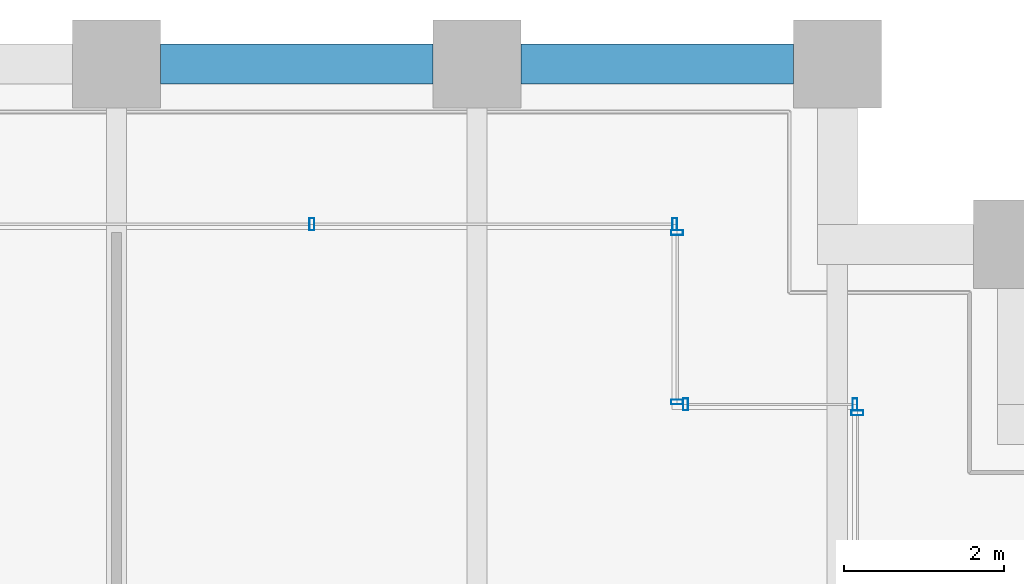
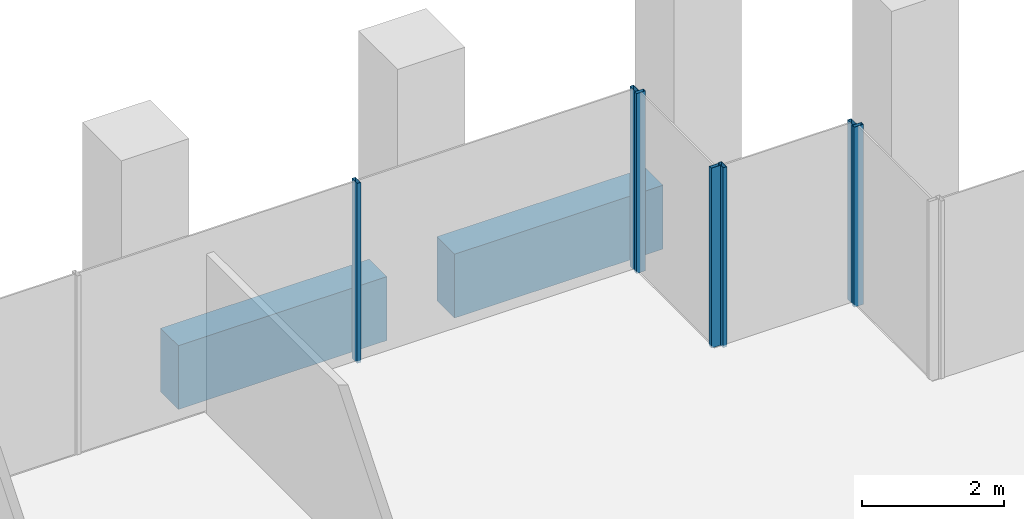
# One storey, part 32 of 56: 7 members, 2 beams, 4 elements without a shape of their own.
"""IFC4 building model written with IfcOpenShell, lengths in metres."""

from ifc_helpers import new_model, si_unit, direction, frame, origin, origin_2d, place, context, subcontext, project, spatial, rectangle, hollow_rectangle, extrude, material, material_profile, profile_set, type_object, element, aggregate, save


model = new_model("IFC4")

# Units and contexts
model_context = context("Model", 3, precision=1e-05, world=origin(), true_north=direction((0.0, 1.0)))
body_context = subcontext(model_context, "Body", "Model", "MODEL_VIEW")
ifc_project = project(units=[si_unit("LENGTHUNIT", "METRE"), si_unit("AREAUNIT", "SQUARE_METRE"), si_unit("VOLUMEUNIT", "CUBIC_METRE"), si_unit("PLANEANGLEUNIT", "RADIAN"), si_unit("MASSUNIT", "GRAM", prefix="KILO")], contexts=[model_context])

# Site, building, storey
site_placement = place(None, origin())
site = spatial("IfcSite", under=ifc_project, at=site_placement, CompositionType="ELEMENT")
building_placement = place(site_placement, origin())
building = spatial("IfcBuilding", under=site, at=building_placement, Name="Altepetl Exchange Towers", CompositionType="ELEMENT")
storey_placement = place(building_placement, frame((0.0, 0.0, 76.199951171875)))
storey = spatial("IfcBuildingStorey", under=building, at=storey_placement, Name="L18", CompositionType="ELEMENT", Elevation=76.199951171875)

# Curtain wall, member
ifc_material_1 = material(Name="Aluminium 6063-T6 glazing", Category="aluminium")
curtain_wall_type = type_object("IfcCurtainWallType", Name="Loggia glazing system", PredefinedType="NOTDEFINED", material=ifc_material_1)
curtain_wall_1_placement = place(storey_placement, origin())
curtain_wall_1 = element("IfcCurtainWall", 1, at=curtain_wall_1_placement, inside=storey, type_object=curtain_wall_type, Name="CW1 run", PredefinedType="NOTDEFINED")
ifc_material_2 = material(Name="Aluminium 6063-T6", Category="aluminium")
ifc_material_profile_1 = material_profile(ifc_material_2, hollow_rectangle(XDim=0.06005859375, YDim=0.14990234375, WallThickness=0.0029296875, at=origin_2d()), Name="Mullion 60x150 aluminium")
ifc_profile_set_1 = profile_set([ifc_material_profile_1], Name="Aluminium 6063-T6")
member_type = type_object("IfcMemberType", Name="Mullion 60x150 aluminium", PredefinedType="MULLION", material=ifc_profile_set_1)
member_1_placement = place(storey_placement, frame((67.75, 67.64501953125, 0.0), z_axis=(0.0, 0.0, 1.0), x_axis=(0.0, 1.0, 0.0)))
member_1 = element("IfcMember", 2, at=member_1_placement, type_object=member_type, Name="MU1 mullion", PredefinedType="MULLION", context=body_context, shape_type="SweptSolid", body=[
    extrude(hollow_rectangle(XDim=0.06005859375, YDim=0.14990234375, WallThickness=0.0029296875, at=origin_2d()), origin(), (0.0, 0.0, 1.0), 3.10009765625),
])
aggregate(curtain_wall_1, [member_1])

# Curtain wall, members
curtain_wall_2_placement = place(storey_placement, origin())
curtain_wall_2 = element("IfcCurtainWall", 3, at=curtain_wall_2_placement, inside=storey, type_object=curtain_wall_type, Name="CW1 run", PredefinedType="NOTDEFINED")
member_2_placement = place(storey_placement, frame((67.719970703125, 67.75, 0.0), z_axis=(0.0, 0.0, 1.0), x_axis=(-1.0, 0.0, 0.0)))
member_2 = element("IfcMember", 4, at=member_2_placement, type_object=member_type, Name="MU1 mullion", PredefinedType="MULLION", context=body_context, shape_type="SweptSolid", body=[
    extrude(hollow_rectangle(XDim=0.06005859375, YDim=0.14990234375, WallThickness=0.0029296875, at=origin_2d()), origin(), (0.0, 0.0, 1.0), 3.10009765625),
])
member_3_placement = place(storey_placement, frame((65.60498046875, 67.75, 0.0), z_axis=(0.0, 0.0, 1.0), x_axis=(-1.0, 0.0, 0.0)))
member_3 = element("IfcMember", 5, at=member_3_placement, type_object=member_type, Name="MU1 mullion", PredefinedType="MULLION", context=body_context, shape_type="SweptSolid", body=[
    extrude(hollow_rectangle(XDim=0.06005859375, YDim=0.14990234375, WallThickness=0.0029296875, at=origin_2d()), origin(), (0.0, 0.0, 1.0), 3.10009765625),
])
aggregate(curtain_wall_2, [member_2, member_3])

curtain_wall_3_placement = place(storey_placement, origin())
curtain_wall_3 = element("IfcCurtainWall", 6, at=curtain_wall_3_placement, inside=storey, type_object=curtain_wall_type, Name="CW1 run", PredefinedType="NOTDEFINED")
member_4_placement = place(storey_placement, frame((65.5, 67.780029296875, 0.0), z_axis=(0.0, 0.0, 1.0), x_axis=(0.0, 1.0, 0.0)))
member_4 = element("IfcMember", 7, at=member_4_placement, type_object=member_type, Name="MU1 mullion", PredefinedType="MULLION", context=body_context, shape_type="SweptSolid", body=[
    extrude(hollow_rectangle(XDim=0.06005859375, YDim=0.14990234375, WallThickness=0.0029296875, at=origin_2d()), origin(), (0.0, 0.0, 1.0), 3.10009765625),
])
member_5_placement = place(storey_placement, frame((65.5, 69.89501953125, 0.0), z_axis=(0.0, 0.0, 1.0), x_axis=(0.0, 1.0, 0.0)))
member_5 = element("IfcMember", 8, at=member_5_placement, type_object=member_type, Name="MU1 mullion", PredefinedType="MULLION", context=body_context, shape_type="SweptSolid", body=[
    extrude(hollow_rectangle(XDim=0.06005859375, YDim=0.14990234375, WallThickness=0.0029296875, at=origin_2d()), origin(), (0.0, 0.0, 1.0), 3.10009765625),
])
aggregate(curtain_wall_3, [member_4, member_5])

curtain_wall_4_placement = place(storey_placement, origin())
curtain_wall_4 = element("IfcCurtainWall", 9, at=curtain_wall_4_placement, inside=storey, type_object=curtain_wall_type, Name="CW1 run", PredefinedType="NOTDEFINED")
member_6_placement = place(storey_placement, frame((65.469970703125, 70.0, 0.0), z_axis=(0.0, 0.0, 1.0), x_axis=(-1.0, 0.0, 0.0)))
member_6 = element("IfcMember", 10, at=member_6_placement, type_object=member_type, Name="MU1 mullion", PredefinedType="MULLION", context=body_context, shape_type="SweptSolid", body=[
    extrude(hollow_rectangle(XDim=0.06005859375, YDim=0.14990234375, WallThickness=0.0029296875, at=origin_2d()), origin(), (0.0, 0.0, 1.0), 3.10009765625),
])
member_7_placement = place(storey_placement, frame((60.939208984375, 70.0, 0.0), z_axis=(0.0, 0.0, 1.0), x_axis=(-1.0, 0.0, 0.0)))
member_7 = element("IfcMember", 11, at=member_7_placement, type_object=member_type, Name="MU1 mullion", PredefinedType="MULLION", context=body_context, shape_type="SweptSolid", body=[
    extrude(hollow_rectangle(XDim=0.06005859375, YDim=0.14990234375, WallThickness=0.0029296875, at=origin_2d()), origin(), (0.0, 0.0, 1.0), 3.10009765625),
])
aggregate(curtain_wall_4, [member_6, member_7])

# Beams
ifc_material_3 = material(Name="Concrete C50/60 precast with cantera rosa facing", Category="concrete")
ifc_material_profile_2 = material_profile(ifc_material_3, rectangle(XDim=0.5, YDim=1.10009765625, at=origin_2d()), Name="500 x 1100")
ifc_profile_set_2 = profile_set([ifc_material_profile_2], Name="Concrete C50/60 precast with cantera rosa facing")
beam_type = type_object("IfcBeamType", Name="Spandrel beam 500x1100 cantera rosa", PredefinedType="SPANDREL", material=ifc_profile_set_2)
for number, where, z_axis, x_axis, name in (
    (12, (66.949951171875, 72.0, -0.699951171875), (-1.0, 0.0, 0.0), (0.0, -1.0, 0.0), "sp:A:L18:024"),
    (13, (62.449951171875, 72.0, -0.699951171875), (-1.0, 0.0, 0.0), (0.0, -1.0, 0.0), "sp:A:L18:025"),
):
    element("IfcBeam", number, at=place(storey_placement, frame(where, z_axis=z_axis, x_axis=x_axis)), inside=storey, type_object=beam_type, Name=name, PredefinedType="SPANDREL", context=body_context, shape_type="SweptSolid", body=[
        extrude(rectangle(XDim=0.5, YDim=1.10009765625, at=origin_2d()), origin(), (0.0, 0.0, 1.0), 3.39990234375),
    ])

save(model, "model.ifc")
